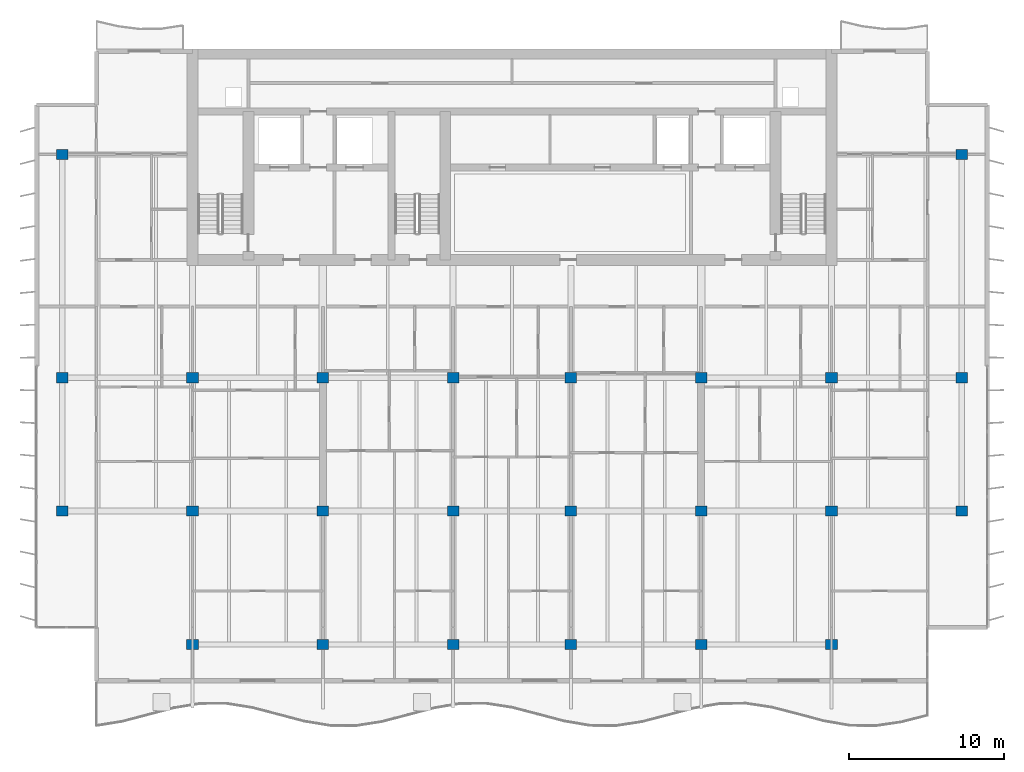
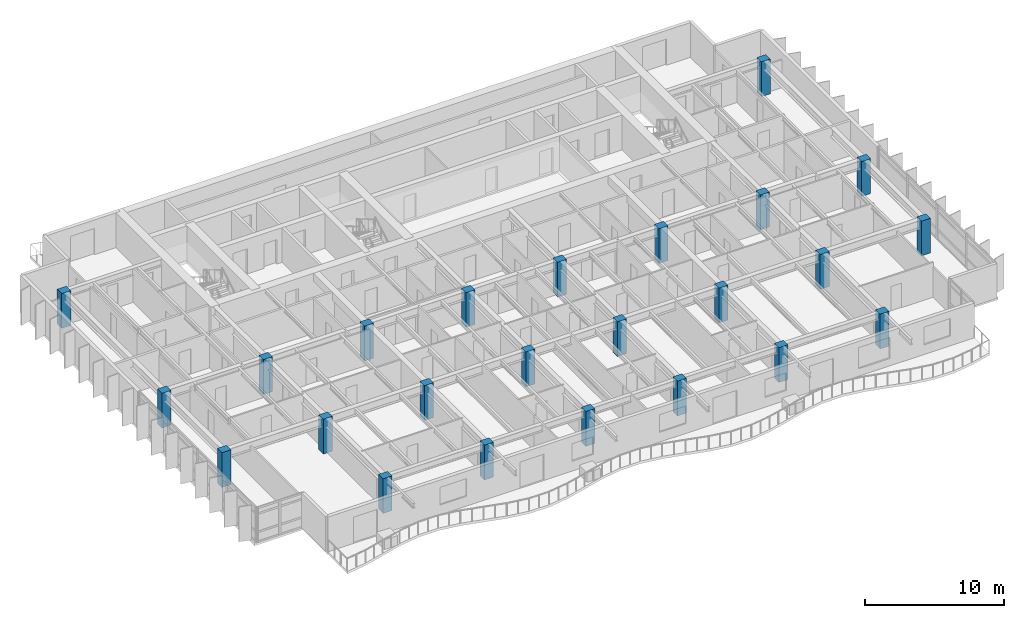
# One storey, part 1 of 17: 24 columns.
"""IFC4 building model written with IfcOpenShell, lengths in metres."""

from ifc_helpers import new_model, si_unit, direction, frame, origin, origin_2d, place, context, subcontext, project, spatial, rectangle, extrude, material, material_profile, profile_set, type_object, element, save


model = new_model("IFC4")

# Units and contexts
model_context = context("Model", 3, precision=1e-05, world=origin(), true_north=direction((0.0, 1.0)))
body_context = subcontext(model_context, "Body", "Model", "MODEL_VIEW")
ifc_project = project(units=[si_unit("LENGTHUNIT", "METRE"), si_unit("AREAUNIT", "SQUARE_METRE"), si_unit("VOLUMEUNIT", "CUBIC_METRE"), si_unit("PLANEANGLEUNIT", "RADIAN"), si_unit("MASSUNIT", "GRAM", prefix="KILO")], contexts=[model_context])

# Site, building, storey
site_placement = place(None, origin())
site = spatial("IfcSite", under=ifc_project, at=site_placement, CompositionType="ELEMENT")
building_placement = place(site_placement, origin())
building = spatial("IfcBuilding", under=site, at=building_placement, Name="Caelmar Bay Residences", CompositionType="ELEMENT")
storey_placement = place(building_placement, frame((0.0, 0.0, 236.39990234375)))
storey = spatial("IfcBuildingStorey", under=building, at=storey_placement, Name="L66", CompositionType="ELEMENT", Elevation=236.39990234375)

# Columns
ifc_material = material(Name="Concrete f'c 55 MPa (8,000 psi)", Category="concrete")
ifc_material_profile = material_profile(ifc_material, rectangle(XDim=0.75, YDim=0.64990234375, at=origin_2d()), Name="RC-COL-750X650")
ifc_profile_set = profile_set([ifc_material_profile], Name="Concrete f'c 55 MPa (8,000 psi)")
column_type = type_object("IfcColumnType", Name="COL-RC-750X650", PredefinedType="COLUMN", material=ifc_profile_set)
for number, where, z_axis, x_axis, name in (
    (1, (18.300048828125, 12.199951171875, 0.0), (0.0, 0.0, 1.0), (1.0, 0.0, 0.0), "L66 Column (18.30,12.20)"),
    (2, (26.699951171875, 12.199951171875, 0.0), (0.0, 0.0, 1.0), (1.0, 0.0, 0.0), "L66 Column (26.70,12.20)"),
    (3, (35.10009765625, 12.199951171875, 0.0), (0.0, 0.0, 1.0), (1.0, 0.0, 0.0), "L66 Column (35.10,12.20)"),
    (4, (42.699951171875, 12.199951171875, 0.0), (0.0, 0.0, 1.0), (1.0, 0.0, 0.0), "L66 Column (42.70,12.20)"),
    (5, (51.10009765625, 12.199951171875, 0.0), (0.0, 0.0, 1.0), (1.0, 0.0, 0.0), "L66 Column (51.10,12.20)"),
    (6, (59.5, 12.199951171875, 0.0), (0.0, 0.0, 1.0), (1.0, 0.0, 0.0), "L66 Column (59.50,12.20)"),
    (7, (9.89990234375, 20.800048828125, 0.0), (0.0, 0.0, 1.0), (1.0, 0.0, 0.0), "L66 Column (9.90,20.80)"),
    (8, (18.300048828125, 20.800048828125, 0.0), (0.0, 0.0, 1.0), (1.0, 0.0, 0.0), "L66 Column (18.30,20.80)"),
    (9, (26.699951171875, 20.800048828125, 0.0), (0.0, 0.0, 1.0), (1.0, 0.0, 0.0), "L66 Column (26.70,20.80)"),
    (10, (35.10009765625, 20.800048828125, 0.0), (0.0, 0.0, 1.0), (1.0, 0.0, 0.0), "L66 Column (35.10,20.80)"),
    (11, (42.699951171875, 20.800048828125, 0.0), (0.0, 0.0, 1.0), (1.0, 0.0, 0.0), "L66 Column (42.70,20.80)"),
    (12, (51.10009765625, 20.800048828125, 0.0), (0.0, 0.0, 1.0), (1.0, 0.0, 0.0), "L66 Column (51.10,20.80)"),
    (13, (59.5, 20.800048828125, 0.0), (0.0, 0.0, 1.0), (1.0, 0.0, 0.0), "L66 Column (59.50,20.80)"),
    (14, (67.89990234375, 20.800048828125, 0.0), (0.0, 0.0, 1.0), (1.0, 0.0, 0.0), "L66 Column (67.90,20.80)"),
    (15, (9.89990234375, 29.39990234375, 0.0), (0.0, 0.0, 1.0), (1.0, 0.0, 0.0), "L66 Column (9.90,29.40)"),
    (16, (18.300048828125, 29.39990234375, 0.0), (0.0, 0.0, 1.0), (1.0, 0.0, 0.0), "L66 Column (18.30,29.40)"),
    (17, (26.699951171875, 29.39990234375, 0.0), (0.0, 0.0, 1.0), (1.0, 0.0, 0.0), "L66 Column (26.70,29.40)"),
    (18, (35.10009765625, 29.39990234375, 0.0), (0.0, 0.0, 1.0), (1.0, 0.0, 0.0), "L66 Column (35.10,29.40)"),
    (19, (42.699951171875, 29.39990234375, 0.0), (0.0, 0.0, 1.0), (1.0, 0.0, 0.0), "L66 Column (42.70,29.40)"),
    (20, (51.10009765625, 29.39990234375, 0.0), (0.0, 0.0, 1.0), (1.0, 0.0, 0.0), "L66 Column (51.10,29.40)"),
    (21, (59.5, 29.39990234375, 0.0), (0.0, 0.0, 1.0), (1.0, 0.0, 0.0), "L66 Column (59.50,29.40)"),
    (22, (67.89990234375, 29.39990234375, 0.0), (0.0, 0.0, 1.0), (1.0, 0.0, 0.0), "L66 Column (67.90,29.40)"),
    (23, (9.89990234375, 43.800048828125, 0.0), (0.0, 0.0, 1.0), (1.0, 0.0, 0.0), "L66 Column (9.90,43.80)"),
    (24, (67.89990234375, 43.800048828125, 0.0), (0.0, 0.0, 1.0), (1.0, 0.0, 0.0), "L66 Column (67.90,43.80)"),
):
    element("IfcColumn", number, at=place(storey_placement, frame(where, z_axis=z_axis, x_axis=x_axis)), inside=storey, type_object=column_type, Name=name, PredefinedType="COLUMN", context=body_context, shape_type="SweptSolid", body=[
        extrude(rectangle(XDim=0.75, YDim=0.64990234375, at=origin_2d()), origin(), (0.0, 0.0, 1.0), 3.050048828125),
    ])

save(model, "model.ifc")
